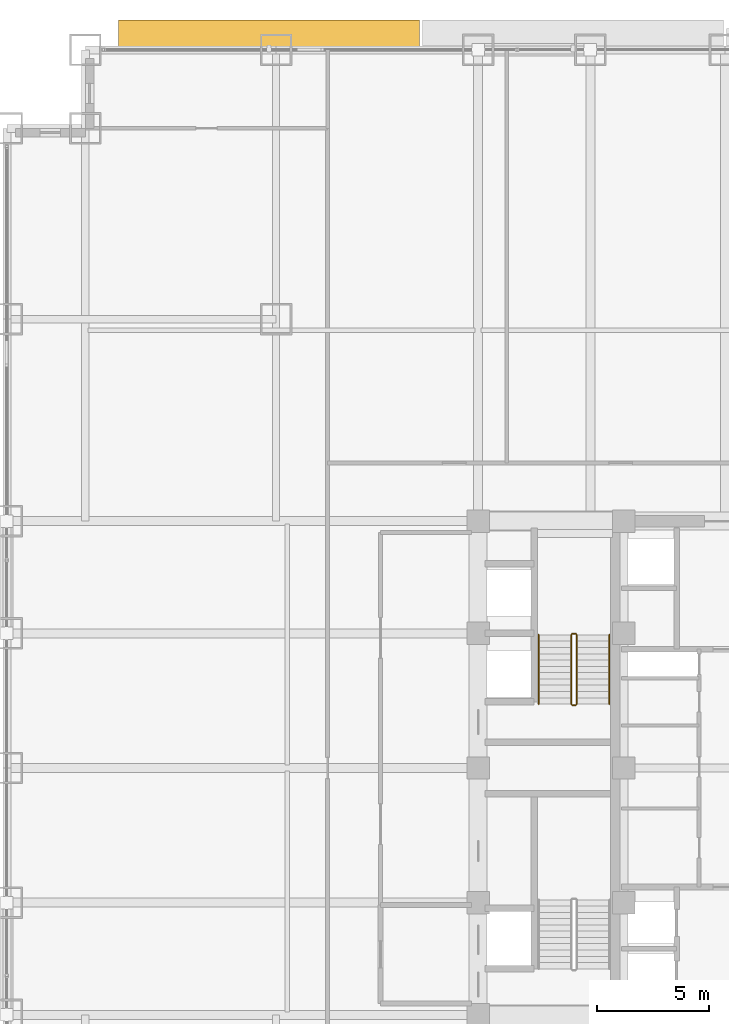
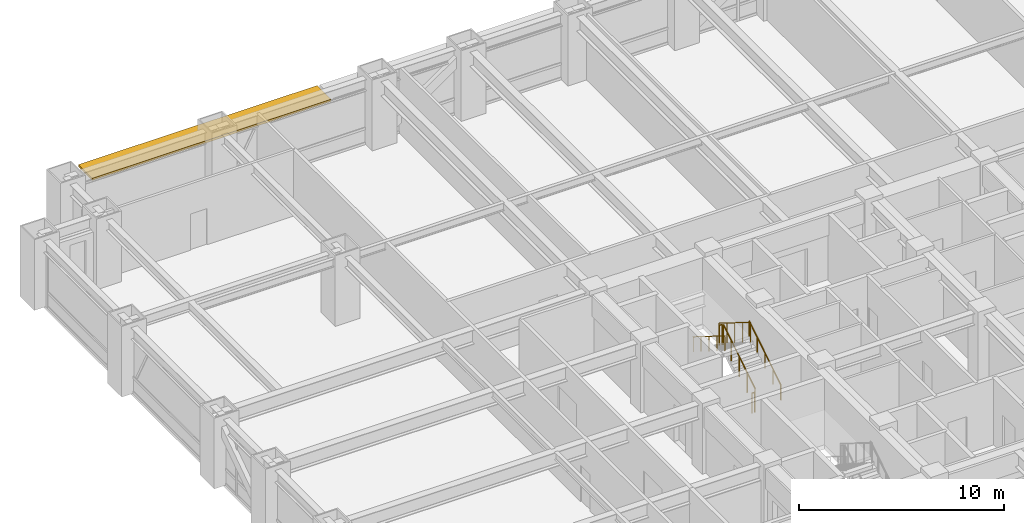
# One storey, part 30 of 31: 6 railings, 1 shading device.
"""IFC4 building model written with IfcOpenShell, lengths in metres."""

import ifcopenshell
import ifcopenshell.guid

model = None  # the IFC model being written
_history = None  # IfcOwnerHistory: only IFC2X3 demands one
_inside = {}  # id of a spatial element -> (the spatial element, [elements in it])
_under = {}  # id of a project, library or spatial element -> (it, [spatial elements below it])
_declared = {}  # id of a project -> (the project, [libraries it declares])
_typed = {}  # id of a type object -> (the type object, [elements of that type])
_made_of = {}  # id of a material, layer set ... -> (it, [elements and type objects made of it])


def new_model(schema):
    """Start an empty IFC model of exactly this schema.

    Asked for "IFC4X3", IfcOpenShell would pick the latest addendum, in which some entities
    have other attributes; the version numbers below select the first issue.
    IFC2X3 requires an IfcOwnerHistory on every rooted entity: one is made here for all.
    """
    global model, _history
    if schema == "IFC4X3":
        model = ifcopenshell.file(schema_version=(4, 3, 0, 0))
    else:
        model = ifcopenshell.file(schema=schema)
    _inside.clear()
    _under.clear()
    _declared.clear()
    _typed.clear()
    _made_of.clear()
    _history = None
    if model.schema == "IFC2X3":
        org = make("IfcOrganization", Name="unknown")
        user = make(
            "IfcPersonAndOrganization",
            ThePerson=make("IfcPerson", FamilyName="unknown"),
            TheOrganization=org,
        )
        app = make(
            "IfcApplication",
            ApplicationDeveloper=org,
            Version="unknown",
            ApplicationFullName="unknown",
            ApplicationIdentifier="unknown",
        )
        _history = make(
            "IfcOwnerHistory",
            OwningUser=user,
            OwningApplication=app,
            ChangeAction="ADDED",
            CreationDate=0,
        )
    return model


def make(cls, **values):
    """One entity of the class cls with the attributes given. An attribute that is None is left unset."""
    return model.create_entity(
        cls, **{name: value for name, value in values.items() if value is not None}
    )


def rooted(cls, **values):
    """An entity with a GlobalId (a new one), such as an element, a storey or a relation."""
    return make(cls, GlobalId=ifcopenshell.guid.new(), OwnerHistory=_history, **values)


def si_unit(unit_type, name, prefix=None):
    """IfcSIUnit, for example si_unit("LENGTHUNIT", "METRE", prefix="MILLI")."""
    return make("IfcSIUnit", UnitType=unit_type, Prefix=prefix, Name=name)


def assignment(units):
    """IfcUnitAssignment: the units of a project."""
    return None if units is None else make("IfcUnitAssignment", Units=units)


def point(xyz):
    """IfcCartesianPoint."""
    return None if xyz is None else make("IfcCartesianPoint", Coordinates=xyz)


def direction(xyz):
    """IfcDirection."""
    return None if xyz is None else make("IfcDirection", DirectionRatios=xyz)


def frame(location, z_axis=None, x_axis=None):
    """IfcAxis2Placement3D, a coordinate frame: its origin and axes. An axis left out is left unset."""
    return make(
        "IfcAxis2Placement3D",
        Location=point(location),
        Axis=direction(z_axis),
        RefDirection=direction(x_axis),
    )


def frame_2d(location, x_axis=None):
    """IfcAxis2Placement2D, a coordinate frame in the plane: its origin and x axis."""
    return make(
        "IfcAxis2Placement2D", Location=point(location), RefDirection=direction(x_axis)
    )


def origin():
    """The frame at (0, 0, 0) with its axes left unset."""
    return frame((0.0, 0.0, 0.0))


def origin_2d():
    """The frame at (0, 0) in the plane with its x axis left unset."""
    return frame_2d((0.0, 0.0))


def place(relative_to, where):
    """IfcLocalPlacement: puts the frame where relative to a parent placement (None: the world)."""
    return make(
        "IfcLocalPlacement", PlacementRelTo=relative_to, RelativePlacement=where
    )


def context(
    kind, dimensions, precision=None, world=None, true_north=None, identifier=None
):
    """IfcGeometricRepresentationContext, for example the 3D "Model" context."""
    return make(
        "IfcGeometricRepresentationContext",
        ContextIdentifier=identifier,
        ContextType=kind,
        CoordinateSpaceDimension=dimensions,
        Precision=precision,
        WorldCoordinateSystem=world,
        TrueNorth=true_north,
    )


def subcontext(parent, identifier, kind, view, scale=None):
    """IfcGeometricRepresentationSubContext, for example "Body" below "Model"."""
    return make(
        "IfcGeometricRepresentationSubContext",
        ContextIdentifier=identifier,
        ContextType=kind,
        ParentContext=parent,
        TargetScale=scale,
        TargetView=view,
    )


def project(units=None, contexts=None):
    """IfcProject with its units and contexts."""
    return rooted(
        "IfcProject",
        Name="project",
        RepresentationContexts=contexts,
        UnitsInContext=assignment(units),
    )


def spatial(cls, under=None, at=None, **own):
    """A site, building, storey or space (cls), placed at a placement, below another one or the project."""
    s = rooted(cls, ObjectPlacement=at, **own)
    if under is not None:
        _under.setdefault(under.id(), (under, []))[1].append(s)
    return s


def profile(cls, at=None, kind="AREA", **sizes):
    """A parametric profile (cls). Its sizes go by their IFC names, for example OverallWidth=200.0."""
    return make(cls, ProfileType=kind, Position=at, **sizes)


def rectangle(**sizes):
    """IfcRectangleProfileDef."""
    return profile("IfcRectangleProfileDef", **sizes)


def circle(**sizes):
    """IfcCircleProfileDef."""
    return profile("IfcCircleProfileDef", **sizes)


def extrude(swept, where, along, depth):
    """IfcExtrudedAreaSolid: the profile swept, set in the frame where, extruded along a direction by depth."""
    return make(
        "IfcExtrudedAreaSolid",
        SweptArea=swept,
        Position=where,
        ExtrudedDirection=direction(along),
        Depth=depth,
    )


def shape(context_of_items, identifier, shape_type, items):
    """IfcShapeRepresentation: the items that make up one representation, for example the "Body"."""
    return make(
        "IfcShapeRepresentation",
        ContextOfItems=context_of_items,
        RepresentationIdentifier=identifier,
        RepresentationType=shape_type,
        Items=items,
    )


def source(mapping_origin, context_of_items, identifier, shape_type, items):
    """IfcRepresentationMap: a shape defined once, which mapped items show again and again."""
    return make(
        "IfcRepresentationMap",
        MappingOrigin=mapping_origin,
        MappedRepresentation=shape(context_of_items, identifier, shape_type, items),
    )


def transform(
    local_origin,
    x_axis=None,
    y_axis=None,
    z_axis=None,
    scale=None,
    scale2=None,
    scale3=None,
    uniform=True,
):
    """IfcCartesianTransformationOperator3D, or its non-uniform kind. x_axis, y_axis, z_axis: its Axis1, 2, 3."""
    if uniform:
        return make(
            "IfcCartesianTransformationOperator3D",
            Axis1=direction(x_axis),
            Axis2=direction(y_axis),
            LocalOrigin=point(local_origin),
            Scale=scale,
            Axis3=direction(z_axis),
        )
    return make(
        "IfcCartesianTransformationOperator3DnonUniform",
        Axis1=direction(x_axis),
        Axis2=direction(y_axis),
        LocalOrigin=point(local_origin),
        Scale=scale,
        Axis3=direction(z_axis),
        Scale2=scale2,
        Scale3=scale3,
    )


def mapped(mapping_source, mapping_target):
    """IfcMappedItem: shows the shape of a source again, moved by a transform."""
    return make(
        "IfcMappedItem", MappingSource=mapping_source, MappingTarget=mapping_target
    )


def material(Name=None, Category=None):
    """IfcMaterial."""
    return make("IfcMaterial", Name=Name, Category=Category)


def layer(
    of_material, thickness, ventilated=None, Name=None, Category=None, Priority=None
):
    """IfcMaterialLayer: one layer of a wall or slab, of a material (None: an air gap)."""
    return make(
        "IfcMaterialLayer",
        Material=of_material,
        LayerThickness=thickness,
        IsVentilated=ventilated,
        Name=Name,
        Category=Category,
        Priority=Priority,
    )


def layer_set(layers, Name=None):
    """IfcMaterialLayerSet."""
    return make("IfcMaterialLayerSet", MaterialLayers=layers, LayerSetName=Name)


def made_of(thing, what):
    """Note that an element or type object is made of a material, layer set ...; save() writes the relation."""
    if what is not None:
        _made_of.setdefault(what.id(), (what, []))[1].append(thing)
    return thing


def type_object(cls, material=None, **own):
    """A type object (cls), such as IfcWallType, which elements share."""
    return made_of(rooted(cls, **own), material)


def element(
    cls,
    number,
    at=None,
    inside=None,
    cuts=None,
    type_object=None,
    material=None,
    context=None,
    identifier="Body",
    shape_type=None,
    held_by="IfcProductDefinitionShape",
    body=None,
    shapes=None,
    **own,
):
    """One element of the class cls, such as IfcWall. Its Tag is "e" and its number.

    at: its placement. inside: the storey or other place that contains it. cuts: it is an
    opening in that element (IfcRelVoidsElement). A single representation is given by context,
    identifier, shape_type and body (its items); several are given by shapes. held_by: the class
    of the entity that holds the representations. save() writes the other relations.
    """
    e = rooted(cls, Tag="e%d" % number, ObjectPlacement=at, **own)
    if body is not None:
        shapes = [shape(context, identifier, shape_type, body)]
    if shapes is not None:
        e.Representation = make(held_by, Representations=shapes)
    if inside is not None:
        _inside.setdefault(inside.id(), (inside, []))[1].append(e)
    if cuts is not None:
        rooted(
            "IfcRelVoidsElement", RelatingBuildingElement=cuts, RelatedOpeningElement=e
        )
    if type_object is not None:
        _typed.setdefault(type_object.id(), (type_object, []))[1].append(e)
    return made_of(e, material)


def aggregate(whole, parts):
    """IfcRelAggregates: a whole, such as a stair, and the parts it consists of."""
    return rooted("IfcRelAggregates", RelatingObject=whole, RelatedObjects=parts)


def save(model, path):
    """Write the relations noted so far, then the file.

    IfcRelAggregates (storeys below a building ...), IfcRelContainedInSpatialStructure (elements
    in a storey), IfcRelDefinesByType, IfcRelAssociatesMaterial and IfcRelDeclares: one each for
    every whole, place, type object, material and project.
    """
    for whole, parts in _under.values():
        aggregate(whole, parts)
    for where, things in _inside.values():
        rooted(
            "IfcRelContainedInSpatialStructure",
            RelatedElements=things,
            RelatingStructure=where,
        )
    for kind, things in _typed.values():
        rooted("IfcRelDefinesByType", RelatedObjects=things, RelatingType=kind)
    for what, things in _made_of.values():
        rooted("IfcRelAssociatesMaterial", RelatedObjects=things, RelatingMaterial=what)
    for by, libraries in _declared.values():
        rooted("IfcRelDeclares", RelatingContext=by, RelatedDefinitions=libraries)
    model.write(path)


model = new_model("IFC4")

# Units and contexts
model_context = context("Model", 3, precision=1e-05, world=origin(), true_north=direction((0.0, 1.0)))
body_context = subcontext(model_context, "Body", "Model", "MODEL_VIEW")
ifc_project = project(units=[si_unit("LENGTHUNIT", "METRE"), si_unit("AREAUNIT", "SQUARE_METRE"), si_unit("VOLUMEUNIT", "CUBIC_METRE"), si_unit("PLANEANGLEUNIT", "RADIAN"), si_unit("MASSUNIT", "GRAM", prefix="KILO")], contexts=[model_context])

# Site, building, storey
site_placement = place(None, origin())
site = spatial("IfcSite", under=ifc_project, at=site_placement, CompositionType="ELEMENT")
building_placement = place(site_placement, origin())
building = spatial("IfcBuilding", under=site, at=building_placement, Name="Khorayat Bourse Tower", CompositionType="ELEMENT")
storey_placement = place(building_placement, frame((0.0, 0.0, 36.800048828125)))
storey = spatial("IfcBuildingStorey", under=building, at=storey_placement, Name="L07", CompositionType="ELEMENT", Elevation=36.800048828125)

# Shading device
ifc_material_1 = material(Name="Precast concrete C45/55", Category="concrete")
ifc_layer = layer(ifc_material_1, 0.139892578125)
ifc_layer_set = layer_set([ifc_layer], Name="Precast concrete C45/55")
shading_device_type = type_object("IfcShadingDeviceType", Name="SHD-WAVE-TRAY-B", PredefinedType="USERDEFINED", material=ifc_layer_set)
shared_shape_1 = source(origin(), body_context, "Body", "SweptSolid", [
    extrude(rectangle(XDim=13.409912109375, YDim=1.350341796875, at=origin_2d()), origin(), (0.0, 0.0, 1.0), 0.139892578125),
])
shading_device_placement = place(storey_placement, frame((-20.324951171875, 32.655029296875, 3.18994140625), z_axis=(0.0, 0.0, 1.0), x_axis=(1.0, 0.0, 0.0)))
element("IfcShadingDevice", 1, at=shading_device_placement, inside=storey, type_object=shading_device_type, Name="L07 Sinusoidal Wave Sunshade Tray N-1", ObjectType="SUNSHADE", PredefinedType="USERDEFINED", context=body_context, shape_type="MappedRepresentation", body=[
    mapped(shared_shape_1, transform((0.0, 0.0, 0.0), scale=1.0)),
])

# Railings
ifc_material_2 = material(Name="Powder-coated steel balustrade", Category="steel")
railing_type_1 = type_object("IfcRailingType", Name="RLG-GUARD-1200", PredefinedType="GUARDRAIL", material=ifc_material_2)
shared_shape_2 = source(origin(), body_context, "Body", "SweptSolid", [
    extrude(circle(Radius=0.02392578125, at=origin_2d()), frame((0.0, 0.0, 1.17578125), z_axis=(-1.0, 0.0, 0.0), x_axis=(0.0, -1.0, 0.0)), (0.0, 0.0, 1.0), 0.150146484375),
    extrude(circle(Radius=0.02099609375, at=origin_2d()), origin(), (0.0, 0.0, 1.0), 1.15185546875),
    extrude(circle(Radius=0.02099609375, at=origin_2d()), frame((-0.150146484375, 0.0, 0.0)), (0.0, 0.0, 1.0), 1.15185546875),
])
for number, where, name in (
    (2, (-6.64990234375, 5.97998046875, 2.099853515625), "L07 ST-2 stair guard 2"),
    (3, (-6.64990234375, 2.800048828125, 0.0), "L07 ST-2 stair guard 4"),
):
    element("IfcRailing", number, at=place(storey_placement, frame(where)), inside=storey, type_object=railing_type_1, Name=name, PredefinedType="GUARDRAIL", context=body_context, shape_type="MappedRepresentation", body=[
        mapped(shared_shape_2, transform((0.0, 0.0, 0.0), scale=1.0)),
    ])
shared_shape_3 = source(origin(), body_context, "Body", "SweptSolid", [
    extrude(circle(Radius=0.02392578125, at=origin_2d()), frame((0.0, 0.0, 1.17578125), z_axis=(0.0, -0.847979421464, 0.530029150871), x_axis=(1.0, 0.0, 0.0)), (0.0, 0.0, 1.0), 3.632080078125),
    extrude(circle(Radius=0.02099609375, at=origin_2d()), origin(), (0.0, 0.0, 1.0), 1.15185546875),
    extrude(circle(Radius=0.02099609375, at=origin_2d()), frame((0.0, -0.77001953125, 0.481201171875)), (0.0, 0.0, 1.0), 1.15185546875),
    extrude(circle(Radius=0.02099609375, at=origin_2d()), frame((0.0, -1.5400390625, 0.96240234375)), (0.0, 0.0, 1.0), 1.15185546875),
    extrude(circle(Radius=0.02099609375, at=origin_2d()), frame((0.0, -2.309814453125, 1.44384765625)), (0.0, 0.0, 1.0), 1.15185546875),
    extrude(circle(Radius=0.02099609375, at=origin_2d()), frame((0.0, -3.079833984375, 1.925048828125)), (0.0, 0.0, 1.0), 1.15185546875),
])
railing_1_placement = place(storey_placement, frame((-6.85009765625, 5.929931640625, 2.27490234375)))
element("IfcRailing", 4, at=railing_1_placement, inside=storey, type_object=railing_type_1, Name="L07 ST-2 stair guard 3", PredefinedType="GUARDRAIL", context=body_context, shape_type="MappedRepresentation", body=[
    mapped(shared_shape_3, transform((0.0, 0.0, 0.0), scale=1.0)),
])
ifc_material_3 = material(Name="Brushed bronze stainless-steel handrail", Category="steel")
railing_type_2 = type_object("IfcRailingType", Name="RLG-HAND-900", PredefinedType="HANDRAIL", material=ifc_material_3)
shared_shape_4 = source(origin(), body_context, "Body", "SweptSolid", [
    extrude(circle(Radius=0.02392578125, at=origin_2d()), frame((0.0, 0.0, 0.8759765625), z_axis=(0.0, -0.847979421464, 0.530029150871), x_axis=(1.0, 0.0, 0.0)), (0.0, 0.0, 1.0), 3.632080078125),
    extrude(circle(Radius=0.02099609375, at=origin_2d()), origin(), (0.0, 0.0, 1.0), 0.851806640625),
    extrude(circle(Radius=0.02099609375, at=origin_2d()), frame((0.0, -0.77001953125, 0.481201171875)), (0.0, 0.0, 1.0), 0.851806640625),
    extrude(circle(Radius=0.02099609375, at=origin_2d()), frame((0.0, -1.5400390625, 0.96240234375)), (0.0, 0.0, 1.0), 0.851806640625),
    extrude(circle(Radius=0.02099609375, at=origin_2d()), frame((0.0, -2.309814453125, 1.44384765625)), (0.0, 0.0, 1.0), 0.851806640625),
    extrude(circle(Radius=0.02099609375, at=origin_2d()), frame((0.0, -3.079833984375, 1.925048828125)), (0.0, 0.0, 1.0), 0.851806640625),
])
railing_2_placement = place(storey_placement, frame((-8.300048828125, 5.929931640625, 2.27490234375)))
element("IfcRailing", 5, at=railing_2_placement, inside=storey, type_object=railing_type_2, Name="L07 ST-2 stair handrail 2", PredefinedType="HANDRAIL", context=body_context, shape_type="MappedRepresentation", body=[
    mapped(shared_shape_4, transform((0.0, 0.0, 0.0), scale=1.0)),
])
shared_shape_5 = source(origin(), body_context, "Body", "SweptSolid", [
    extrude(circle(Radius=0.02392578125, at=origin_2d()), frame((0.0, 0.0, 1.17578125), z_axis=(0.0, 0.848009633417, 0.529980812513), x_axis=(-1.0, 0.0, 0.0)), (0.0, 0.0, 1.0), 3.6318359375),
    extrude(circle(Radius=0.02099609375, at=origin_2d()), origin(), (0.0, 0.0, 1.0), 1.15185546875),
    extrude(circle(Radius=0.02099609375, at=origin_2d()), frame((0.0, 0.77001953125, 0.481201171875)), (0.0, 0.0, 1.0), 1.15185546875),
    extrude(circle(Radius=0.02099609375, at=origin_2d()), frame((0.0, 1.5400390625, 0.96240234375)), (0.0, 0.0, 1.0), 1.15185546875),
    extrude(circle(Radius=0.02099609375, at=origin_2d()), frame((0.0, 2.309814453125, 1.443603515625)), (0.0, 0.0, 1.0), 1.15185546875),
    extrude(circle(Radius=0.02099609375, at=origin_2d()), frame((0.0, 3.079833984375, 1.9248046875)), (0.0, 0.0, 1.0), 1.15185546875),
])
railing_3_placement = place(storey_placement, frame((-6.60009765625, 2.85009765625, 0.175048828125)))
element("IfcRailing", 6, at=railing_3_placement, inside=storey, type_object=railing_type_1, Name="L07 ST-2 stair guard 1", PredefinedType="GUARDRAIL", context=body_context, shape_type="MappedRepresentation", body=[
    mapped(shared_shape_5, transform((0.0, 0.0, 0.0), scale=1.0)),
])
shared_shape_6 = source(origin(), body_context, "Body", "SweptSolid", [
    extrude(circle(Radius=0.02392578125, at=origin_2d()), frame((0.0, 0.0, 0.8759765625), z_axis=(0.0, 0.848009633417, 0.529980812513), x_axis=(-1.0, 0.0, 0.0)), (0.0, 0.0, 1.0), 3.6318359375),
    extrude(circle(Radius=0.02099609375, at=origin_2d()), origin(), (0.0, 0.0, 1.0), 0.851806640625),
    extrude(circle(Radius=0.02099609375, at=origin_2d()), frame((0.0, 0.77001953125, 0.481201171875)), (0.0, 0.0, 1.0), 0.851806640625),
    extrude(circle(Radius=0.02099609375, at=origin_2d()), frame((0.0, 1.5400390625, 0.96240234375)), (0.0, 0.0, 1.0), 0.851806640625),
    extrude(circle(Radius=0.02099609375, at=origin_2d()), frame((0.0, 2.309814453125, 1.443603515625)), (0.0, 0.0, 1.0), 0.851806640625),
    extrude(circle(Radius=0.02099609375, at=origin_2d()), frame((0.0, 3.079833984375, 1.9248046875)), (0.0, 0.0, 1.0), 0.851806640625),
])
railing_4_placement = place(storey_placement, frame((-5.14990234375, 2.85009765625, 0.175048828125)))
element("IfcRailing", 7, at=railing_4_placement, inside=storey, type_object=railing_type_2, Name="L07 ST-2 stair handrail 1", PredefinedType="HANDRAIL", context=body_context, shape_type="MappedRepresentation", body=[
    mapped(shared_shape_6, transform((0.0, 0.0, 0.0), scale=1.0)),
])

save(model, "model.ifc")
